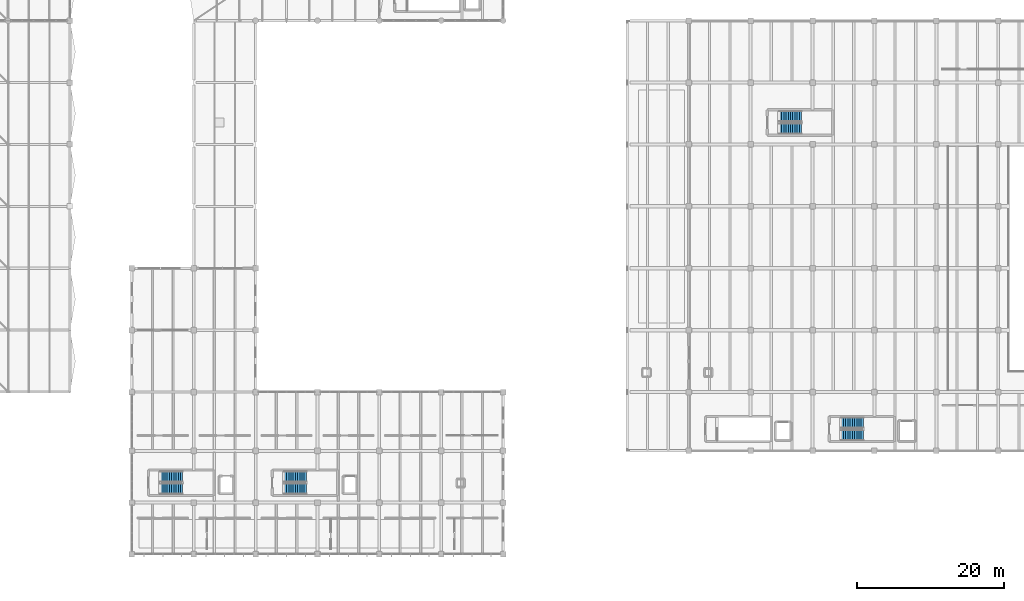
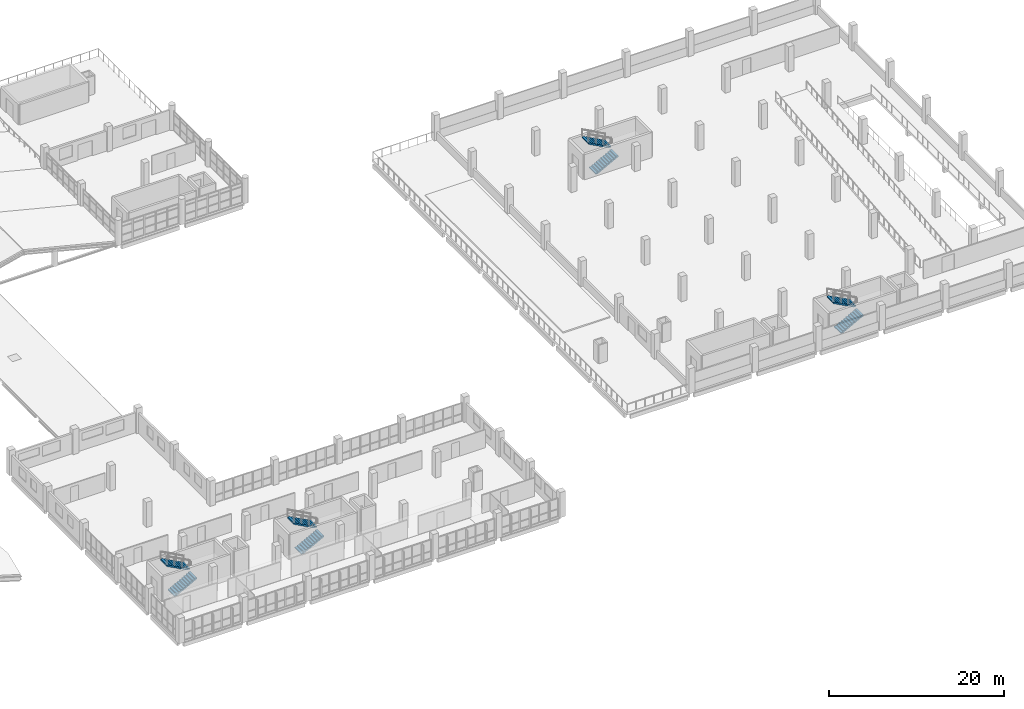
# One storey, part 85 of 95: 8 stair flights, 4 elements without a shape of their own.
"""IFC4 building model written with IfcOpenShell, lengths in metres."""

import ifcopenshell
import ifcopenshell.guid

model = None  # the IFC model being written
_history = None  # IfcOwnerHistory: only IFC2X3 demands one
_inside = {}  # id of a spatial element -> (the spatial element, [elements in it])
_under = {}  # id of a project, library or spatial element -> (it, [spatial elements below it])
_declared = {}  # id of a project -> (the project, [libraries it declares])
_typed = {}  # id of a type object -> (the type object, [elements of that type])
_made_of = {}  # id of a material, layer set ... -> (it, [elements and type objects made of it])


def new_model(schema):
    """Start an empty IFC model of exactly this schema.

    Asked for "IFC4X3", IfcOpenShell would pick the latest addendum, in which some entities
    have other attributes; the version numbers below select the first issue.
    IFC2X3 requires an IfcOwnerHistory on every rooted entity: one is made here for all.
    """
    global model, _history
    if schema == "IFC4X3":
        model = ifcopenshell.file(schema_version=(4, 3, 0, 0))
    else:
        model = ifcopenshell.file(schema=schema)
    _inside.clear()
    _under.clear()
    _declared.clear()
    _typed.clear()
    _made_of.clear()
    _history = None
    if model.schema == "IFC2X3":
        org = make("IfcOrganization", Name="unknown")
        user = make(
            "IfcPersonAndOrganization",
            ThePerson=make("IfcPerson", FamilyName="unknown"),
            TheOrganization=org,
        )
        app = make(
            "IfcApplication",
            ApplicationDeveloper=org,
            Version="unknown",
            ApplicationFullName="unknown",
            ApplicationIdentifier="unknown",
        )
        _history = make(
            "IfcOwnerHistory",
            OwningUser=user,
            OwningApplication=app,
            ChangeAction="ADDED",
            CreationDate=0,
        )
    return model


def make(cls, **values):
    """One entity of the class cls with the attributes given. An attribute that is None is left unset."""
    return model.create_entity(
        cls, **{name: value for name, value in values.items() if value is not None}
    )


def rooted(cls, **values):
    """An entity with a GlobalId (a new one), such as an element, a storey or a relation."""
    return make(cls, GlobalId=ifcopenshell.guid.new(), OwnerHistory=_history, **values)


def si_unit(unit_type, name, prefix=None):
    """IfcSIUnit, for example si_unit("LENGTHUNIT", "METRE", prefix="MILLI")."""
    return make("IfcSIUnit", UnitType=unit_type, Prefix=prefix, Name=name)


def assignment(units):
    """IfcUnitAssignment: the units of a project."""
    return None if units is None else make("IfcUnitAssignment", Units=units)


def point(xyz):
    """IfcCartesianPoint."""
    return None if xyz is None else make("IfcCartesianPoint", Coordinates=xyz)


def direction(xyz):
    """IfcDirection."""
    return None if xyz is None else make("IfcDirection", DirectionRatios=xyz)


def frame(location, z_axis=None, x_axis=None):
    """IfcAxis2Placement3D, a coordinate frame: its origin and axes. An axis left out is left unset."""
    return make(
        "IfcAxis2Placement3D",
        Location=point(location),
        Axis=direction(z_axis),
        RefDirection=direction(x_axis),
    )


def origin():
    """The frame at (0, 0, 0) with its axes left unset."""
    return frame((0.0, 0.0, 0.0))


def place(relative_to, where):
    """IfcLocalPlacement: puts the frame where relative to a parent placement (None: the world)."""
    return make(
        "IfcLocalPlacement", PlacementRelTo=relative_to, RelativePlacement=where
    )


def context(
    kind, dimensions, precision=None, world=None, true_north=None, identifier=None
):
    """IfcGeometricRepresentationContext, for example the 3D "Model" context."""
    return make(
        "IfcGeometricRepresentationContext",
        ContextIdentifier=identifier,
        ContextType=kind,
        CoordinateSpaceDimension=dimensions,
        Precision=precision,
        WorldCoordinateSystem=world,
        TrueNorth=true_north,
    )


def subcontext(parent, identifier, kind, view, scale=None):
    """IfcGeometricRepresentationSubContext, for example "Body" below "Model"."""
    return make(
        "IfcGeometricRepresentationSubContext",
        ContextIdentifier=identifier,
        ContextType=kind,
        ParentContext=parent,
        TargetScale=scale,
        TargetView=view,
    )


def project(units=None, contexts=None):
    """IfcProject with its units and contexts."""
    return rooted(
        "IfcProject",
        Name="project",
        RepresentationContexts=contexts,
        UnitsInContext=assignment(units),
    )


def spatial(cls, under=None, at=None, **own):
    """A site, building, storey or space (cls), placed at a placement, below another one or the project."""
    s = rooted(cls, ObjectPlacement=at, **own)
    if under is not None:
        _under.setdefault(under.id(), (under, []))[1].append(s)
    return s


def polyline(points):
    """IfcPolyline through the points."""
    return make("IfcPolyline", Points=[point(p) for p in points])


def outline(outer, holes=None, kind="AREA"):
    """IfcArbitraryClosedProfileDef: a profile drawn as a closed curve; with holes, ...WithVoids."""
    if holes is None:
        return make("IfcArbitraryClosedProfileDef", ProfileType=kind, OuterCurve=outer)
    return make(
        "IfcArbitraryProfileDefWithVoids",
        ProfileType=kind,
        OuterCurve=outer,
        InnerCurves=holes,
    )


def extrude(swept, where, along, depth):
    """IfcExtrudedAreaSolid: the profile swept, set in the frame where, extruded along a direction by depth."""
    return make(
        "IfcExtrudedAreaSolid",
        SweptArea=swept,
        Position=where,
        ExtrudedDirection=direction(along),
        Depth=depth,
    )


def shape(context_of_items, identifier, shape_type, items):
    """IfcShapeRepresentation: the items that make up one representation, for example the "Body"."""
    return make(
        "IfcShapeRepresentation",
        ContextOfItems=context_of_items,
        RepresentationIdentifier=identifier,
        RepresentationType=shape_type,
        Items=items,
    )


def material(Name=None, Category=None):
    """IfcMaterial."""
    return make("IfcMaterial", Name=Name, Category=Category)


def layer(
    of_material, thickness, ventilated=None, Name=None, Category=None, Priority=None
):
    """IfcMaterialLayer: one layer of a wall or slab, of a material (None: an air gap)."""
    return make(
        "IfcMaterialLayer",
        Material=of_material,
        LayerThickness=thickness,
        IsVentilated=ventilated,
        Name=Name,
        Category=Category,
        Priority=Priority,
    )


def layer_set(layers, Name=None):
    """IfcMaterialLayerSet."""
    return make("IfcMaterialLayerSet", MaterialLayers=layers, LayerSetName=Name)


def made_of(thing, what):
    """Note that an element or type object is made of a material, layer set ...; save() writes the relation."""
    if what is not None:
        _made_of.setdefault(what.id(), (what, []))[1].append(thing)
    return thing


def type_object(cls, material=None, **own):
    """A type object (cls), such as IfcWallType, which elements share."""
    return made_of(rooted(cls, **own), material)


def element(
    cls,
    number,
    at=None,
    inside=None,
    cuts=None,
    type_object=None,
    material=None,
    context=None,
    identifier="Body",
    shape_type=None,
    held_by="IfcProductDefinitionShape",
    body=None,
    shapes=None,
    **own,
):
    """One element of the class cls, such as IfcWall. Its Tag is "e" and its number.

    at: its placement. inside: the storey or other place that contains it. cuts: it is an
    opening in that element (IfcRelVoidsElement). A single representation is given by context,
    identifier, shape_type and body (its items); several are given by shapes. held_by: the class
    of the entity that holds the representations. save() writes the other relations.
    """
    e = rooted(cls, Tag="e%d" % number, ObjectPlacement=at, **own)
    if body is not None:
        shapes = [shape(context, identifier, shape_type, body)]
    if shapes is not None:
        e.Representation = make(held_by, Representations=shapes)
    if inside is not None:
        _inside.setdefault(inside.id(), (inside, []))[1].append(e)
    if cuts is not None:
        rooted(
            "IfcRelVoidsElement", RelatingBuildingElement=cuts, RelatedOpeningElement=e
        )
    if type_object is not None:
        _typed.setdefault(type_object.id(), (type_object, []))[1].append(e)
    return made_of(e, material)


def aggregate(whole, parts):
    """IfcRelAggregates: a whole, such as a stair, and the parts it consists of."""
    return rooted("IfcRelAggregates", RelatingObject=whole, RelatedObjects=parts)


def save(model, path):
    """Write the relations noted so far, then the file.

    IfcRelAggregates (storeys below a building ...), IfcRelContainedInSpatialStructure (elements
    in a storey), IfcRelDefinesByType, IfcRelAssociatesMaterial and IfcRelDeclares: one each for
    every whole, place, type object, material and project.
    """
    for whole, parts in _under.values():
        aggregate(whole, parts)
    for where, things in _inside.values():
        rooted(
            "IfcRelContainedInSpatialStructure",
            RelatedElements=things,
            RelatingStructure=where,
        )
    for kind, things in _typed.values():
        rooted("IfcRelDefinesByType", RelatedObjects=things, RelatingType=kind)
    for what, things in _made_of.values():
        rooted("IfcRelAssociatesMaterial", RelatedObjects=things, RelatingMaterial=what)
    for by, libraries in _declared.values():
        rooted("IfcRelDeclares", RelatingContext=by, RelatedDefinitions=libraries)
    model.write(path)


model = new_model("IFC4")

# Units and contexts
model_context = context("Model", 3, precision=1e-05, world=origin(), true_north=direction((0.0, 1.0)))
body_context = subcontext(model_context, "Body", "Model", "MODEL_VIEW")
ifc_project = project(units=[si_unit("LENGTHUNIT", "METRE"), si_unit("AREAUNIT", "SQUARE_METRE"), si_unit("VOLUMEUNIT", "CUBIC_METRE"), si_unit("PLANEANGLEUNIT", "RADIAN"), si_unit("MASSUNIT", "GRAM", prefix="KILO"), si_unit("THERMODYNAMICTEMPERATUREUNIT", "KELVIN"), si_unit("POWERUNIT", "WATT")], contexts=[model_context])

# Site, building, storey
site_placement = place(None, origin())
site = spatial("IfcSite", under=ifc_project, at=site_placement, CompositionType="ELEMENT")
building_placement = place(site_placement, origin())
building = spatial("IfcBuilding", under=site, at=building_placement, Name="Mavoryth Pier Ferry Terminal", CompositionType="ELEMENT")
storey_placement = place(building_placement, frame((0.0, 0.0, 9.60009765625)))
storey = spatial("IfcBuildingStorey", under=building, at=storey_placement, Name="L02", CompositionType="ELEMENT", Elevation=9.60009765625)

# Stair, stair flights
ifc_material = material(Name="Concrete C35/45", Category="concrete")
stair_type = type_object("IfcStairType", Name="Stair-Core-W1500", PredefinedType="TWO_STRAIGHT_RUN_STAIR", material=ifc_material)
stair_1_placement = place(storey_placement, origin())
stair_1 = element("IfcStair", 1, at=stair_1_placement, inside=storey, type_object=stair_type, Name="L02 Core C4B Stair", PredefinedType="TWO_STRAIGHT_RUN_STAIR")
ifc_layer = layer(ifc_material, 0.14990234375, Name="Concrete C35/45", Category="concrete")
ifc_layer_set = layer_set([ifc_layer], Name="Concrete C35/45 - Flight-Core-W1500")
stair_flight_type = type_object("IfcStairFlightType", Name="Flight-Core-W1500", PredefinedType="STRAIGHT", material=ifc_layer_set)
stair_flight_1_placement = place(storey_placement, frame((138.300048828125, 16.14990234375, 0.0), z_axis=(0.0, 0.0, 1.0), x_axis=(1.0, 0.0, 0.0)))
stair_flight_1 = element("IfcStairFlight", 2, at=stair_flight_1_placement, type_object=stair_flight_type, Name="ST09 flight 1", NumberOfRisers=11, NumberOfTreads=10, PredefinedType="STRAIGHT", RiserHeight=0.16, TreadLength=0.3, context=body_context, shape_type="SweptSolid", body=[
    extrude(outline(polyline([(0.0, 0.0), (0.0, 0.159912109375), (0.300048828125, 0.159912109375), (0.300048828125, 0.320068359375), (0.60009765625, 0.320068359375), (0.60009765625, 0.47998046875), (0.89990234375, 0.47998046875), (0.89990234375, 0.639892578125), (1.199951171875, 0.639892578125), (1.199951171875, 0.800048828125), (1.5, 0.800048828125), (1.5, 0.9599609375), (1.800048828125, 0.9599609375), (1.800048828125, 1.1201171875), (2.10009765625, 1.1201171875), (2.10009765625, 1.280029296875), (2.39990234375, 1.280029296875), (2.39990234375, 1.43994140625), (2.699951171875, 1.43994140625), (2.699951171875, 1.60009765625), (3.0, 1.60009765625), (3.0, 1.760009765625), (3.0, 1.43017578125), (0.318603515625, 0.0), (0.0, 0.0)])), frame((0.0, 0.75, 0.0), z_axis=(0.0, -1.0, 0.0), x_axis=(1.0, 0.0, 0.0)), (0.0, 0.0, 1.0), 1.5),
])
stair_flight_2_placement = place(storey_placement, frame((141.300048828125, 17.800048828125, 1.760009765625), z_axis=(0.0, 0.0, 1.0), x_axis=(-1.0, 0.0, 0.0)))
stair_flight_2 = element("IfcStairFlight", 3, at=stair_flight_2_placement, type_object=stair_flight_type, Name="ST09 flight 2", NumberOfRisers=11, NumberOfTreads=10, PredefinedType="STRAIGHT", RiserHeight=0.16, TreadLength=0.3, context=body_context, shape_type="SweptSolid", body=[
    extrude(outline(polyline([(0.0, 0.0), (0.0, 0.159912109375), (0.300048828125, 0.159912109375), (0.300048828125, 0.320068359375), (0.60009765625, 0.320068359375), (0.60009765625, 0.47998046875), (0.89990234375, 0.47998046875), (0.89990234375, 0.639892578125), (1.199951171875, 0.639892578125), (1.199951171875, 0.800048828125), (1.5, 0.800048828125), (1.5, 0.9599609375), (1.800048828125, 0.9599609375), (1.800048828125, 1.1201171875), (2.10009765625, 1.1201171875), (2.10009765625, 1.280029296875), (2.39990234375, 1.280029296875), (2.39990234375, 1.43994140625), (2.699951171875, 1.43994140625), (2.699951171875, 1.60009765625), (3.0, 1.60009765625), (3.0, 1.760009765625), (3.0, 1.43017578125), (0.318603515625, 0.0), (0.0, 0.0)])), frame((0.0, 0.75, 0.0), z_axis=(0.0, -1.0, 0.0), x_axis=(1.0, 0.0, 0.0)), (0.0, 0.0, 1.0), 1.5),
])
aggregate(stair_1, [stair_flight_1, stair_flight_2])

stair_2_placement = place(storey_placement, origin())
stair_2 = element("IfcStair", 4, at=stair_2_placement, inside=storey, type_object=stair_type, Name="L02 Core C4C Stair", PredefinedType="TWO_STRAIGHT_RUN_STAIR")
stair_flight_3_placement = place(storey_placement, frame((129.89990234375, 57.75, 0.0), z_axis=(0.0, 0.0, 1.0), x_axis=(1.0, 0.0, 0.0)))
stair_flight_3 = element("IfcStairFlight", 5, at=stair_flight_3_placement, type_object=stair_flight_type, Name="ST10 flight 1", NumberOfRisers=11, NumberOfTreads=10, PredefinedType="STRAIGHT", RiserHeight=0.16, TreadLength=0.3, context=body_context, shape_type="SweptSolid", body=[
    extrude(outline(polyline([(0.0, 0.0), (0.0, 0.159912109375), (0.300048828125, 0.159912109375), (0.300048828125, 0.320068359375), (0.60009765625, 0.320068359375), (0.60009765625, 0.47998046875), (0.89990234375, 0.47998046875), (0.89990234375, 0.639892578125), (1.199951171875, 0.639892578125), (1.199951171875, 0.800048828125), (1.5, 0.800048828125), (1.5, 0.9599609375), (1.800048828125, 0.9599609375), (1.800048828125, 1.1201171875), (2.10009765625, 1.1201171875), (2.10009765625, 1.280029296875), (2.39990234375, 1.280029296875), (2.39990234375, 1.43994140625), (2.699951171875, 1.43994140625), (2.699951171875, 1.60009765625), (3.0, 1.60009765625), (3.0, 1.760009765625), (3.0, 1.43017578125), (0.318603515625, 0.0), (0.0, 0.0)])), frame((0.0, 0.75, 0.0), z_axis=(0.0, -1.0, 0.0), x_axis=(1.0, 0.0, 0.0)), (0.0, 0.0, 1.0), 1.5),
])
stair_flight_4_placement = place(storey_placement, frame((132.89990234375, 59.39990234375, 1.760009765625), z_axis=(0.0, 0.0, 1.0), x_axis=(-1.0, 0.0, 0.0)))
stair_flight_4 = element("IfcStairFlight", 6, at=stair_flight_4_placement, type_object=stair_flight_type, Name="ST10 flight 2", NumberOfRisers=11, NumberOfTreads=10, PredefinedType="STRAIGHT", RiserHeight=0.16, TreadLength=0.3, context=body_context, shape_type="SweptSolid", body=[
    extrude(outline(polyline([(0.0, 0.0), (0.0, 0.159912109375), (0.300048828125, 0.159912109375), (0.300048828125, 0.320068359375), (0.60009765625, 0.320068359375), (0.60009765625, 0.47998046875), (0.89990234375, 0.47998046875), (0.89990234375, 0.639892578125), (1.199951171875, 0.639892578125), (1.199951171875, 0.800048828125), (1.5, 0.800048828125), (1.5, 0.9599609375), (1.800048828125, 0.9599609375), (1.800048828125, 1.1201171875), (2.10009765625, 1.1201171875), (2.10009765625, 1.280029296875), (2.39990234375, 1.280029296875), (2.39990234375, 1.43994140625), (2.699951171875, 1.43994140625), (2.699951171875, 1.60009765625), (3.0, 1.60009765625), (3.0, 1.760009765625), (3.0, 1.43017578125), (0.318603515625, 0.0), (0.0, 0.0)])), frame((0.0, 0.75, 0.0), z_axis=(0.0, -1.0, 0.0), x_axis=(1.0, 0.0, 0.0)), (0.0, 0.0, 1.0), 1.5),
])
aggregate(stair_2, [stair_flight_3, stair_flight_4])

stair_3_placement = place(storey_placement, origin())
stair_3 = element("IfcStair", 7, at=stair_3_placement, inside=storey, type_object=stair_type, Name="L02 Core C5A Stair", PredefinedType="TWO_STRAIGHT_RUN_STAIR")
stair_flight_5_placement = place(storey_placement, frame((45.89990234375, 8.85009765625, 0.0), z_axis=(0.0, 0.0, 1.0), x_axis=(1.0, 0.0, 0.0)))
stair_flight_5 = element("IfcStairFlight", 8, at=stair_flight_5_placement, type_object=stair_flight_type, Name="ST11 flight 1", NumberOfRisers=11, NumberOfTreads=10, PredefinedType="STRAIGHT", RiserHeight=0.16, TreadLength=0.3, context=body_context, shape_type="SweptSolid", body=[
    extrude(outline(polyline([(0.0, 0.0), (0.0, 0.159912109375), (0.300048828125, 0.159912109375), (0.300048828125, 0.320068359375), (0.60009765625, 0.320068359375), (0.60009765625, 0.47998046875), (0.89990234375, 0.47998046875), (0.89990234375, 0.639892578125), (1.199951171875, 0.639892578125), (1.199951171875, 0.800048828125), (1.5, 0.800048828125), (1.5, 0.9599609375), (1.800048828125, 0.9599609375), (1.800048828125, 1.1201171875), (2.10009765625, 1.1201171875), (2.10009765625, 1.280029296875), (2.39990234375, 1.280029296875), (2.39990234375, 1.43994140625), (2.699951171875, 1.43994140625), (2.699951171875, 1.60009765625), (3.0, 1.60009765625), (3.0, 1.760009765625), (3.0, 1.43017578125), (0.318603515625, 0.0), (0.0, 0.0)])), frame((0.0, 0.75, 0.0), z_axis=(0.0, -1.0, 0.0), x_axis=(1.0, 0.0, 0.0)), (0.0, 0.0, 1.0), 1.5),
])
stair_flight_6_placement = place(storey_placement, frame((48.89990234375, 10.5, 1.760009765625), z_axis=(0.0, 0.0, 1.0), x_axis=(-1.0, 0.0, 0.0)))
stair_flight_6 = element("IfcStairFlight", 9, at=stair_flight_6_placement, type_object=stair_flight_type, Name="ST11 flight 2", NumberOfRisers=11, NumberOfTreads=10, PredefinedType="STRAIGHT", RiserHeight=0.16, TreadLength=0.3, context=body_context, shape_type="SweptSolid", body=[
    extrude(outline(polyline([(0.0, 0.0), (0.0, 0.159912109375), (0.300048828125, 0.159912109375), (0.300048828125, 0.320068359375), (0.60009765625, 0.320068359375), (0.60009765625, 0.47998046875), (0.89990234375, 0.47998046875), (0.89990234375, 0.639892578125), (1.199951171875, 0.639892578125), (1.199951171875, 0.800048828125), (1.5, 0.800048828125), (1.5, 0.9599609375), (1.800048828125, 0.9599609375), (1.800048828125, 1.1201171875), (2.10009765625, 1.1201171875), (2.10009765625, 1.280029296875), (2.39990234375, 1.280029296875), (2.39990234375, 1.43994140625), (2.699951171875, 1.43994140625), (2.699951171875, 1.60009765625), (3.0, 1.60009765625), (3.0, 1.760009765625), (3.0, 1.43017578125), (0.318603515625, 0.0), (0.0, 0.0)])), frame((0.0, 0.75, 0.0), z_axis=(0.0, -1.0, 0.0), x_axis=(1.0, 0.0, 0.0)), (0.0, 0.0, 1.0), 1.5),
])
aggregate(stair_3, [stair_flight_5, stair_flight_6])

stair_4_placement = place(storey_placement, origin())
stair_4 = element("IfcStair", 10, at=stair_4_placement, inside=storey, type_object=stair_type, Name="L02 Core C5B Stair", PredefinedType="TWO_STRAIGHT_RUN_STAIR")
stair_flight_7_placement = place(storey_placement, frame((62.699951171875, 8.85009765625, 0.0), z_axis=(0.0, 0.0, 1.0), x_axis=(1.0, 0.0, 0.0)))
stair_flight_7 = element("IfcStairFlight", 11, at=stair_flight_7_placement, type_object=stair_flight_type, Name="ST12 flight 1", NumberOfRisers=11, NumberOfTreads=10, PredefinedType="STRAIGHT", RiserHeight=0.16, TreadLength=0.3, context=body_context, shape_type="SweptSolid", body=[
    extrude(outline(polyline([(0.0, 0.0), (0.0, 0.159912109375), (0.300048828125, 0.159912109375), (0.300048828125, 0.320068359375), (0.60009765625, 0.320068359375), (0.60009765625, 0.47998046875), (0.89990234375, 0.47998046875), (0.89990234375, 0.639892578125), (1.199951171875, 0.639892578125), (1.199951171875, 0.800048828125), (1.5, 0.800048828125), (1.5, 0.9599609375), (1.800048828125, 0.9599609375), (1.800048828125, 1.1201171875), (2.10009765625, 1.1201171875), (2.10009765625, 1.280029296875), (2.39990234375, 1.280029296875), (2.39990234375, 1.43994140625), (2.699951171875, 1.43994140625), (2.699951171875, 1.60009765625), (3.0, 1.60009765625), (3.0, 1.760009765625), (3.0, 1.43017578125), (0.318603515625, 0.0), (0.0, 0.0)])), frame((0.0, 0.75, 0.0), z_axis=(0.0, -1.0, 0.0), x_axis=(1.0, 0.0, 0.0)), (0.0, 0.0, 1.0), 1.5),
])
stair_flight_8_placement = place(storey_placement, frame((65.699951171875, 10.5, 1.760009765625), z_axis=(0.0, 0.0, 1.0), x_axis=(-1.0, 0.0, 0.0)))
stair_flight_8 = element("IfcStairFlight", 12, at=stair_flight_8_placement, type_object=stair_flight_type, Name="ST12 flight 2", NumberOfRisers=11, NumberOfTreads=10, PredefinedType="STRAIGHT", RiserHeight=0.16, TreadLength=0.3, context=body_context, shape_type="SweptSolid", body=[
    extrude(outline(polyline([(0.0, 0.0), (0.0, 0.159912109375), (0.300048828125, 0.159912109375), (0.300048828125, 0.320068359375), (0.60009765625, 0.320068359375), (0.60009765625, 0.47998046875), (0.89990234375, 0.47998046875), (0.89990234375, 0.639892578125), (1.199951171875, 0.639892578125), (1.199951171875, 0.800048828125), (1.5, 0.800048828125), (1.5, 0.9599609375), (1.800048828125, 0.9599609375), (1.800048828125, 1.1201171875), (2.10009765625, 1.1201171875), (2.10009765625, 1.280029296875), (2.39990234375, 1.280029296875), (2.39990234375, 1.43994140625), (2.699951171875, 1.43994140625), (2.699951171875, 1.60009765625), (3.0, 1.60009765625), (3.0, 1.760009765625), (3.0, 1.43017578125), (0.318603515625, 0.0), (0.0, 0.0)])), frame((0.0, 0.75, 0.0), z_axis=(0.0, -1.0, 0.0), x_axis=(1.0, 0.0, 0.0)), (0.0, 0.0, 1.0), 1.5),
])
aggregate(stair_4, [stair_flight_7, stair_flight_8])

save(model, "model.ifc")
